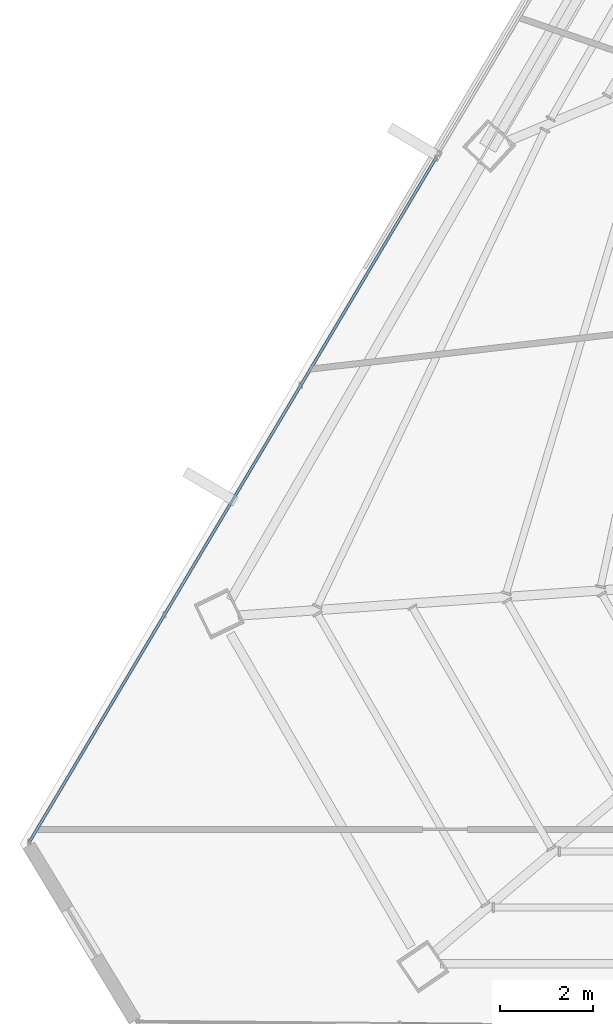
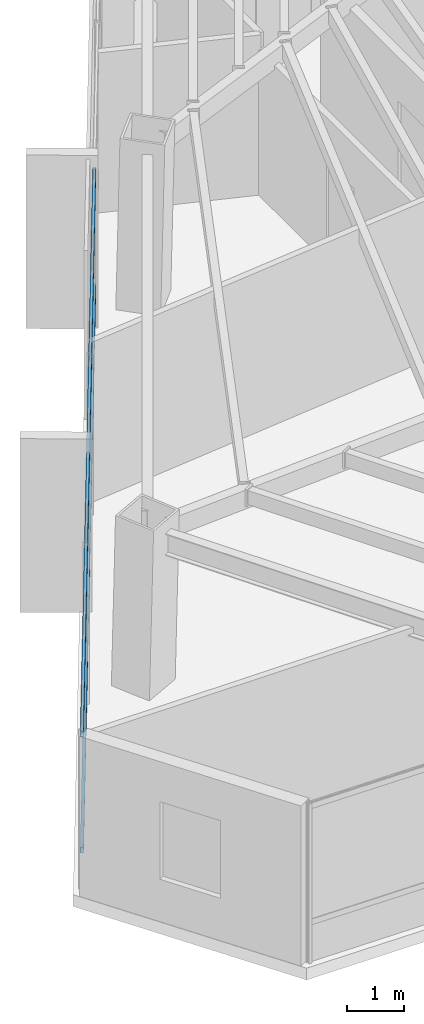
# One storey, part 8 of 49: 2 members, 1 element without a shape of its own.
"""IFC4 building model written with IfcOpenShell, lengths in metres."""

from ifc_helpers import new_model, si_unit, direction, frame, origin, origin_2d, place, context, subcontext, project, spatial, hollow_rectangle, extrude, source, transform, mapped, material, material_profile, profile_set, type_object, type_shapes, element, aggregate, save


model = new_model("IFC4")

# Units and contexts
model_context = context("Model", 3, precision=1e-05, world=origin(), true_north=direction((0.0, 1.0)))
body_context = subcontext(model_context, "Body", "Model", "MODEL_VIEW")
ifc_project = project(units=[si_unit("LENGTHUNIT", "METRE"), si_unit("AREAUNIT", "SQUARE_METRE"), si_unit("VOLUMEUNIT", "CUBIC_METRE"), si_unit("PLANEANGLEUNIT", "RADIAN"), si_unit("MASSUNIT", "GRAM", prefix="KILO")], contexts=[model_context])

# Site, building, storey
site_placement = place(None, origin())
site = spatial("IfcSite", under=ifc_project, at=site_placement, CompositionType="ELEMENT")
building_placement = place(site_placement, origin())
building = spatial("IfcBuilding", under=site, at=building_placement, Name="Caelisora Broadcast Tower", CompositionType="ELEMENT")
storey_placement = place(building_placement, frame((0.0, 0.0, 233.5)))
storey = spatial("IfcBuildingStorey", under=building, at=storey_placement, Name="L61", CompositionType="ELEMENT", Elevation=233.5)

# Curtain wall, members
ifc_material_1 = material(Name="Unitised Aluminium and Low-E Glass Curtain Wall", Category="glass")
curtain_wall_type = type_object("IfcCurtainWallType", Name="CW-Z5", PredefinedType="NOTDEFINED", material=ifc_material_1)
curtain_wall_placement = place(storey_placement, origin())
curtain_wall = element("IfcCurtainWall", 1, at=curtain_wall_placement, inside=storey, type_object=curtain_wall_type, Name="L61 curtain wall CW-Z5", PredefinedType="NOTDEFINED")
ifc_material_2 = material(Name="Aluminium 6063-T6 Anodised Terracotta Bronze", Category="aluminium")
ifc_material_profile = material_profile(ifc_material_2, hollow_rectangle(XDim=0.06005859375, YDim=0.1201171875, WallThickness=0.0029296875, at=origin_2d()), Name="Aluminium 6063-T6 Anodised Terracotta Bronze")
ifc_profile_set = profile_set([ifc_material_profile], Name="Aluminium 6063-T6 Anodised Terracotta Bronze")
member_type = type_object("IfcMemberType", Name="CWT-03", PredefinedType="USERDEFINED", material=ifc_profile_set)
shared_shape = source(origin(), body_context, "Body", "SweptSolid", [
    extrude(hollow_rectangle(XDim=0.06005859375, YDim=0.1201171875, WallThickness=0.0029296875, at=origin_2d()), origin(), (0.0, 0.0, 1.0), 17.111083984375),
])
type_shapes(member_type, [shared_shape])
member_1_placement = place(storey_placement, frame((12.12646484375, 11.56494140625, 0.85009765625), z_axis=(0.510892762263, 0.859644452938, 0.0), x_axis=(-0.859644452938, 0.510892762263, 0.0)))
member_1 = element("IfcMember", 2, at=member_1_placement, type_object=member_type, Name="L61-CW-B09 transom #1", ObjectType="TRANSOM", PredefinedType="USERDEFINED", context=body_context, shape_type="MappedRepresentation", body=[
    mapped(shared_shape, transform((0.0, 0.0, 0.0), scale=1.0)),
])
member_2_placement = place(storey_placement, frame((12.12646484375, 11.56494140625, 3.320068359375), z_axis=(0.510892762263, 0.859644452938, 0.0), x_axis=(-0.859644452938, 0.510892762263, 0.0)))
member_2 = element("IfcMember", 3, at=member_2_placement, type_object=member_type, Name="L61-CW-B09 transom #2", ObjectType="TRANSOM", PredefinedType="USERDEFINED", context=body_context, shape_type="MappedRepresentation", body=[
    mapped(shared_shape, transform((0.0, 0.0, 0.0), scale=1.0)),
])
aggregate(curtain_wall, [member_1, member_2])

save(model, "model.ifc")
